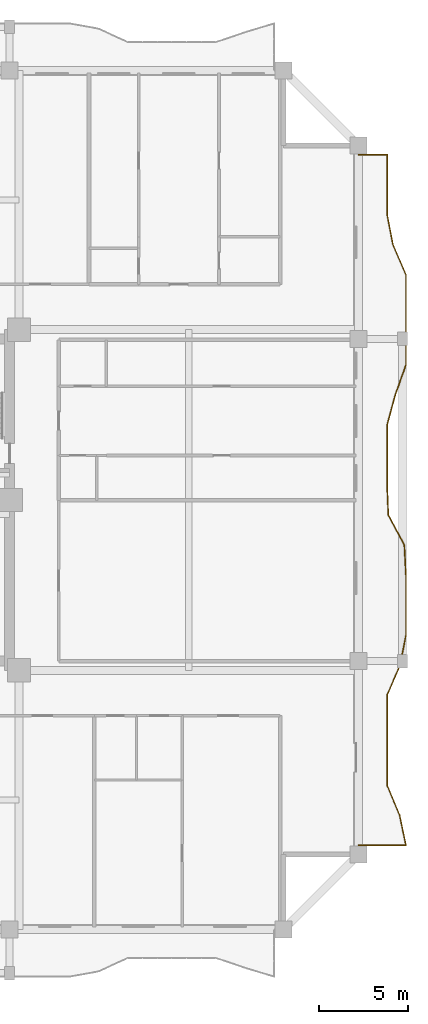
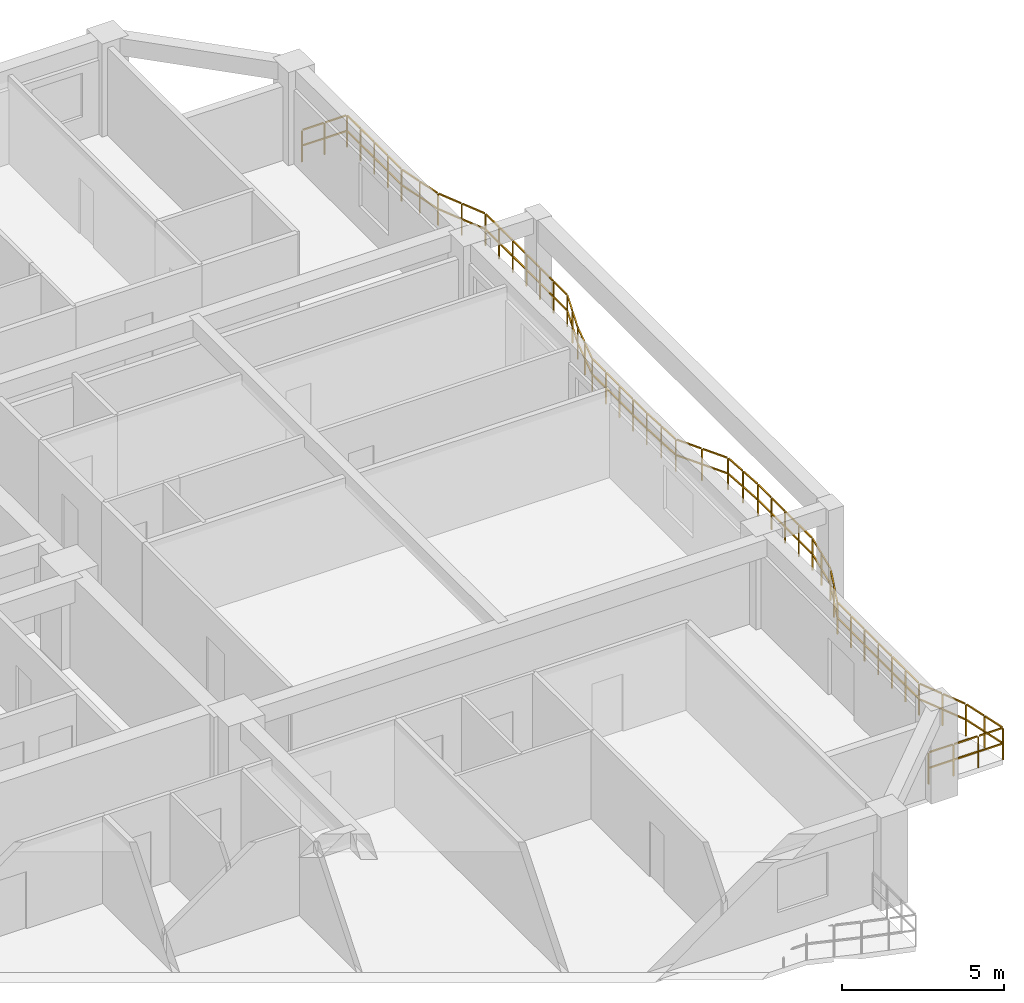
# One storey, part 15 of 17: 1 railing.
"""IFC4 building model written with IfcOpenShell, lengths in metres."""

from ifc_helpers import new_model, si_unit, direction, frame, origin, origin_2d, place, context, subcontext, project, spatial, rectangle, extrude, material, type_object, element, save


model = new_model("IFC4")

# Units and contexts
model_context = context("Model", 3, precision=1e-05, world=origin(), true_north=direction((0.0, 1.0)))
body_context = subcontext(model_context, "Body", "Model", "MODEL_VIEW")
ifc_project = project(units=[si_unit("LENGTHUNIT", "METRE"), si_unit("AREAUNIT", "SQUARE_METRE"), si_unit("VOLUMEUNIT", "CUBIC_METRE"), si_unit("PLANEANGLEUNIT", "RADIAN"), si_unit("MASSUNIT", "GRAM", prefix="KILO")], contexts=[model_context])

# Site, building, storey
site_placement = place(None, origin())
site = spatial("IfcSite", under=ifc_project, at=site_placement, CompositionType="ELEMENT")
building_placement = place(site_placement, origin())
building = spatial("IfcBuilding", under=site, at=building_placement, Name="Saelheon Loggia Tower", CompositionType="ELEMENT")
storey_placement = place(building_placement, frame((0.0, 0.0, 74.35009765625)))
storey = spatial("IfcBuildingStorey", under=building, at=storey_placement, Name="L23", CompositionType="ELEMENT", Elevation=74.35009765625)

# Railing
ifc_material = material(Name="Architectural Precast Concrete and Laminated Glass Guard", Category="concrete")
railing_type = type_object("IfcRailingType", Name="Guard_Loggia_RL_LOG", PredefinedType="BALUSTRADE", material=ifc_material)
railing_placement = place(storey_placement, frame((64.0, 7.699951171875, 0.0)))
element("IfcRailing", 1, at=railing_placement, inside=storey, type_object=railing_type, Name="L23 East Loggia Balustrade", PredefinedType="BALUSTRADE", context=body_context, shape_type="SweptSolid", body=[
    extrude(rectangle(XDim=0.048095703125, YDim=0.048095703125, at=origin_2d()), frame((0.033203125, 0.0, 1.19580078125), z_axis=(1.0, 0.0, 0.0), x_axis=(0.0, 1.0, 0.0)), (0.0, 0.0, 1.0), 0.81689453125),
    extrude(rectangle(XDim=0.048095703125, YDim=0.048095703125, at=origin_2d()), frame((0.033203125, 0.0, 0.60986328125), z_axis=(1.0, 0.0, 0.0), x_axis=(0.0, 1.0, 0.0)), (0.0, 0.0, 1.0), 0.81689453125),
    extrude(rectangle(XDim=0.048095703125, YDim=0.048095703125, at=origin_2d()), frame((0.91650390625, 0.0, 1.19580078125), z_axis=(1.0, 0.0, 0.0), x_axis=(0.0, 1.0, 0.0)), (0.0, 0.0, 1.0), 0.81689453125),
    extrude(rectangle(XDim=0.048095703125, YDim=0.048095703125, at=origin_2d()), frame((0.91650390625, 0.0, 0.60986328125), z_axis=(1.0, 0.0, 0.0), x_axis=(0.0, 1.0, 0.0)), (0.0, 0.0, 1.0), 0.81689453125),
    extrude(rectangle(XDim=0.048095703125, YDim=0.048095703125, at=origin_2d()), frame((1.7998046875, 0.0, 1.19580078125), z_axis=(1.0, 0.0, 0.0), x_axis=(0.0, 1.0, 0.0)), (0.0, 0.0, 1.0), 0.81689453125),
    extrude(rectangle(XDim=0.048095703125, YDim=0.048095703125, at=origin_2d()), frame((1.7998046875, 0.0, 0.60986328125), z_axis=(1.0, 0.0, 0.0), x_axis=(0.0, 1.0, 0.0)), (0.0, 0.0, 1.0), 0.81689453125),
    extrude(rectangle(XDim=0.048095703125, YDim=0.048095703125, at=origin_2d()), frame((2.64306640625, 0.032470703125, 1.19580078125), z_axis=(-0.205414978073, 0.978674964829, 0.0), x_axis=(-0.978674964829, -0.205414978073, 0.0)), (0.0, 0.0, 1.0), 0.791015625),
    extrude(rectangle(XDim=0.048095703125, YDim=0.048095703125, at=origin_2d()), frame((2.64306640625, 0.032470703125, 0.60986328125), z_axis=(-0.205414978073, 0.978674964829, 0.0), x_axis=(-0.978674964829, -0.205414978073, 0.0)), (0.0, 0.0, 1.0), 0.791015625),
    extrude(rectangle(XDim=0.048095703125, YDim=0.048095703125, at=origin_2d()), frame((2.467041015625, 0.871826171875, 1.19580078125), z_axis=(-0.205414978073, 0.978674964829, 0.0), x_axis=(-0.978674964829, -0.205414978073, 0.0)), (0.0, 0.0, 1.0), 0.791015625),
    extrude(rectangle(XDim=0.048095703125, YDim=0.048095703125, at=origin_2d()), frame((2.467041015625, 0.871826171875, 0.60986328125), z_axis=(-0.205414978073, 0.978674964829, 0.0), x_axis=(-0.978674964829, -0.205414978073, 0.0)), (0.0, 0.0, 1.0), 0.791015625),
    extrude(rectangle(XDim=0.048095703125, YDim=0.048095703125, at=origin_2d()), frame((2.284912109375, 1.709228515625, 1.19580078125), z_axis=(-0.383842529392, 0.923398566508, 0.0), x_axis=(-0.923398566508, -0.383842529392, 0.0)), (0.0, 0.0, 1.0), 0.842041015625),
    extrude(rectangle(XDim=0.048095703125, YDim=0.048095703125, at=origin_2d()), frame((2.284912109375, 1.709228515625, 0.60986328125), z_axis=(-0.383842529392, 0.923398566508, 0.0), x_axis=(-0.923398566508, -0.383842529392, 0.0)), (0.0, 0.0, 1.0), 0.842041015625),
    extrude(rectangle(XDim=0.048095703125, YDim=0.048095703125, at=origin_2d()), frame((1.93603515625, 2.548095703125, 1.19580078125), z_axis=(-0.383842529392, 0.923398566508, 0.0), x_axis=(-0.923398566508, -0.383842529392, 0.0)), (0.0, 0.0, 1.0), 0.842041015625),
    extrude(rectangle(XDim=0.048095703125, YDim=0.048095703125, at=origin_2d()), frame((1.93603515625, 2.548095703125, 0.60986328125), z_axis=(-0.383842529392, 0.923398566508, 0.0), x_axis=(-0.923398566508, -0.383842529392, 0.0)), (0.0, 0.0, 1.0), 0.842041015625),
    extrude(rectangle(XDim=0.048095703125, YDim=0.048095703125, at=origin_2d()), frame((1.60009765625, 3.3896484375, 1.19580078125), z_axis=(0.0, 1.0, 0.0), x_axis=(-1.0, 0.0, 0.0)), (0.0, 0.0, 1.0), 0.772705078125),
    extrude(rectangle(XDim=0.048095703125, YDim=0.048095703125, at=origin_2d()), frame((1.60009765625, 3.3896484375, 0.60986328125), z_axis=(0.0, 1.0, 0.0), x_axis=(-1.0, 0.0, 0.0)), (0.0, 0.0, 1.0), 0.772705078125),
    extrude(rectangle(XDim=0.048095703125, YDim=0.048095703125, at=origin_2d()), frame((1.60009765625, 4.22900390625, 1.19580078125), z_axis=(0.0, 1.0, 0.0), x_axis=(-1.0, 0.0, 0.0)), (0.0, 0.0, 1.0), 0.772705078125),
    extrude(rectangle(XDim=0.048095703125, YDim=0.048095703125, at=origin_2d()), frame((1.60009765625, 4.22900390625, 0.60986328125), z_axis=(0.0, 1.0, 0.0), x_axis=(-1.0, 0.0, 0.0)), (0.0, 0.0, 1.0), 0.772705078125),
    extrude(rectangle(XDim=0.048095703125, YDim=0.048095703125, at=origin_2d()), frame((1.60009765625, 5.068115234375, 1.19580078125), z_axis=(0.0, 1.0, 0.0), x_axis=(-1.0, 0.0, 0.0)), (0.0, 0.0, 1.0), 0.772705078125),
    extrude(rectangle(XDim=0.048095703125, YDim=0.048095703125, at=origin_2d()), frame((1.60009765625, 5.068115234375, 0.60986328125), z_axis=(0.0, 1.0, 0.0), x_axis=(-1.0, 0.0, 0.0)), (0.0, 0.0, 1.0), 0.772705078125),
    extrude(rectangle(XDim=0.048095703125, YDim=0.048095703125, at=origin_2d()), frame((1.60009765625, 5.9072265625, 1.19580078125), z_axis=(0.0, 1.0, 0.0), x_axis=(-1.0, 0.0, 0.0)), (0.0, 0.0, 1.0), 0.772705078125),
    extrude(rectangle(XDim=0.048095703125, YDim=0.048095703125, at=origin_2d()), frame((1.60009765625, 5.9072265625, 0.60986328125), z_axis=(0.0, 1.0, 0.0), x_axis=(-1.0, 0.0, 0.0)), (0.0, 0.0, 1.0), 0.772705078125),
    extrude(rectangle(XDim=0.048095703125, YDim=0.048095703125, at=origin_2d()), frame((1.60009765625, 6.746337890625, 1.19580078125), z_axis=(0.0, 1.0, 0.0), x_axis=(-1.0, 0.0, 0.0)), (0.0, 0.0, 1.0), 0.772705078125),
    extrude(rectangle(XDim=0.048095703125, YDim=0.048095703125, at=origin_2d()), frame((1.60009765625, 6.746337890625, 0.60986328125), z_axis=(0.0, 1.0, 0.0), x_axis=(-1.0, 0.0, 0.0)), (0.0, 0.0, 1.0), 0.772705078125),
    extrude(rectangle(XDim=0.048095703125, YDim=0.048095703125, at=origin_2d()), frame((1.60009765625, 7.58544921875, 1.19580078125), z_axis=(0.0, 1.0, 0.0), x_axis=(-1.0, 0.0, 0.0)), (0.0, 0.0, 1.0), 0.772705078125),
    extrude(rectangle(XDim=0.048095703125, YDim=0.048095703125, at=origin_2d()), frame((1.60009765625, 7.58544921875, 0.60986328125), z_axis=(0.0, 1.0, 0.0), x_axis=(-1.0, 0.0, 0.0)), (0.0, 0.0, 1.0), 0.772705078125),
    extrude(rectangle(XDim=0.048095703125, YDim=0.048095703125, at=origin_2d()), frame((1.61328125, 8.421875, 1.19580078125), z_axis=(0.395724447391, 0.918369294857, 0.0), x_axis=(-0.918369294857, 0.395724447391, 0.0)), (0.0, 0.0, 1.0), 0.84716796875),
    extrude(rectangle(XDim=0.048095703125, YDim=0.048095703125, at=origin_2d()), frame((1.61328125, 8.421875, 0.60986328125), z_axis=(0.395724447391, 0.918369294857, 0.0), x_axis=(-0.918369294857, 0.395724447391, 0.0)), (0.0, 0.0, 1.0), 0.84716796875),
    extrude(rectangle(XDim=0.048095703125, YDim=0.048095703125, at=origin_2d()), frame((1.974853515625, 9.260986328125, 1.19580078125), z_axis=(0.395724447391, 0.918369294857, 0.0), x_axis=(-0.918369294857, 0.395724447391, 0.0)), (0.0, 0.0, 1.0), 0.84716796875),
    extrude(rectangle(XDim=0.048095703125, YDim=0.048095703125, at=origin_2d()), frame((1.974853515625, 9.260986328125, 0.60986328125), z_axis=(0.395724447391, 0.918369294857, 0.0), x_axis=(-0.918369294857, 0.395724447391, 0.0)), (0.0, 0.0, 1.0), 0.84716796875),
    extrude(rectangle(XDim=0.048095703125, YDim=0.048095703125, at=origin_2d()), frame((2.32958984375, 10.102294921875, 1.19580078125), z_axis=(0.191060757648, 0.981578212313, 0.0), x_axis=(-0.981578212313, 0.191060757648, 0.0)), (0.0, 0.0, 1.0), 0.788330078125),
    extrude(rectangle(XDim=0.048095703125, YDim=0.048095703125, at=origin_2d()), frame((2.32958984375, 10.102294921875, 0.60986328125), z_axis=(0.191060757648, 0.981578212313, 0.0), x_axis=(-0.981578212313, 0.191060757648, 0.0)), (0.0, 0.0, 1.0), 0.788330078125),
    extrude(rectangle(XDim=0.048095703125, YDim=0.048095703125, at=origin_2d()), frame((2.492919921875, 10.94140625, 1.19580078125), z_axis=(0.191060757648, 0.981578212313, 0.0), x_axis=(-0.981578212313, 0.191060757648, 0.0)), (0.0, 0.0, 1.0), 0.788330078125),
    extrude(rectangle(XDim=0.048095703125, YDim=0.048095703125, at=origin_2d()), frame((2.492919921875, 10.94140625, 0.60986328125), z_axis=(0.191060757648, 0.981578212313, 0.0), x_axis=(-0.981578212313, 0.191060757648, 0.0)), (0.0, 0.0, 1.0), 0.788330078125),
    extrude(rectangle(XDim=0.048095703125, YDim=0.048095703125, at=origin_2d()), frame((2.64990234375, 11.781005859375, 1.19580078125), z_axis=(0.0, 1.0, 0.0), x_axis=(-1.0, 0.0, 0.0)), (0.0, 0.0, 1.0), 0.772705078125),
    extrude(rectangle(XDim=0.048095703125, YDim=0.048095703125, at=origin_2d()), frame((2.64990234375, 11.781005859375, 0.60986328125), z_axis=(0.0, 1.0, 0.0), x_axis=(-1.0, 0.0, 0.0)), (0.0, 0.0, 1.0), 0.772705078125),
    extrude(rectangle(XDim=0.048095703125, YDim=0.048095703125, at=origin_2d()), frame((2.64990234375, 12.620361328125, 1.19580078125), z_axis=(0.0, 1.0, 0.0), x_axis=(-1.0, 0.0, 0.0)), (0.0, 0.0, 1.0), 0.772705078125),
    extrude(rectangle(XDim=0.048095703125, YDim=0.048095703125, at=origin_2d()), frame((2.64990234375, 12.620361328125, 0.60986328125), z_axis=(0.0, 1.0, 0.0), x_axis=(-1.0, 0.0, 0.0)), (0.0, 0.0, 1.0), 0.772705078125),
    extrude(rectangle(XDim=0.048095703125, YDim=0.048095703125, at=origin_2d()), frame((2.64990234375, 13.45947265625, 1.19580078125), z_axis=(0.0, 1.0, 0.0), x_axis=(-1.0, 0.0, 0.0)), (0.0, 0.0, 1.0), 0.7724609375),
    extrude(rectangle(XDim=0.048095703125, YDim=0.048095703125, at=origin_2d()), frame((2.64990234375, 13.45947265625, 0.60986328125), z_axis=(0.0, 1.0, 0.0), x_axis=(-1.0, 0.0, 0.0)), (0.0, 0.0, 1.0), 0.7724609375),
    extrude(rectangle(XDim=0.048095703125, YDim=0.048095703125, at=origin_2d()), frame((2.64990234375, 14.298583984375, 1.19580078125), z_axis=(0.0, 1.0, 0.0), x_axis=(-1.0, 0.0, 0.0)), (0.0, 0.0, 1.0), 0.7724609375),
    extrude(rectangle(XDim=0.048095703125, YDim=0.048095703125, at=origin_2d()), frame((2.64990234375, 14.298583984375, 0.60986328125), z_axis=(0.0, 1.0, 0.0), x_axis=(-1.0, 0.0, 0.0)), (0.0, 0.0, 1.0), 0.7724609375),
    extrude(rectangle(XDim=0.048095703125, YDim=0.048095703125, at=origin_2d()), frame((2.648193359375, 15.137451171875, 1.19580078125), z_axis=(-0.053161084744, 0.998585949765, 0.0), x_axis=(-0.998585949765, -0.053161084744, 0.0)), (0.0, 0.0, 1.0), 0.77392578125),
    extrude(rectangle(XDim=0.048095703125, YDim=0.048095703125, at=origin_2d()), frame((2.648193359375, 15.137451171875, 0.60986328125), z_axis=(-0.053161084744, 0.998585949765, 0.0), x_axis=(-0.998585949765, -0.053161084744, 0.0)), (0.0, 0.0, 1.0), 0.77392578125),
    extrude(rectangle(XDim=0.048095703125, YDim=0.048095703125, at=origin_2d()), frame((2.603515625, 15.9765625, 1.19580078125), z_axis=(-0.053161084744, 0.998585949765, 0.0), x_axis=(-0.998585949765, -0.053161084744, 0.0)), (0.0, 0.0, 1.0), 0.77392578125),
    extrude(rectangle(XDim=0.048095703125, YDim=0.048095703125, at=origin_2d()), frame((2.603515625, 15.9765625, 0.60986328125), z_axis=(-0.053161084744, 0.998585949765, 0.0), x_axis=(-0.998585949765, -0.053161084744, 0.0)), (0.0, 0.0, 1.0), 0.77392578125),
    extrude(rectangle(XDim=0.048095703125, YDim=0.048095703125, at=origin_2d()), frame((2.544921875, 16.81201171875, 1.19580078125), z_axis=(-0.470474964031, 0.882413343179, 0.0), x_axis=(-0.882413343179, -0.470474964031, 0.0)), (0.0, 0.0, 1.0), 0.884521484375),
    extrude(rectangle(XDim=0.048095703125, YDim=0.048095703125, at=origin_2d()), frame((2.544921875, 16.81201171875, 0.60986328125), z_axis=(-0.470474964031, 0.882413343179, 0.0), x_axis=(-0.882413343179, -0.470474964031, 0.0)), (0.0, 0.0, 1.0), 0.884521484375),
    extrude(rectangle(XDim=0.048095703125, YDim=0.048095703125, at=origin_2d()), frame((2.097412109375, 17.651123046875, 1.19580078125), z_axis=(-0.470474964031, 0.882413343179, 0.0), x_axis=(-0.882413343179, -0.470474964031, 0.0)), (0.0, 0.0, 1.0), 0.884521484375),
    extrude(rectangle(XDim=0.048095703125, YDim=0.048095703125, at=origin_2d()), frame((2.097412109375, 17.651123046875, 0.60986328125), z_axis=(-0.470474964031, 0.882413343179, 0.0), x_axis=(-0.882413343179, -0.470474964031, 0.0)), (0.0, 0.0, 1.0), 0.884521484375),
    extrude(rectangle(XDim=0.048095703125, YDim=0.048095703125, at=origin_2d()), frame((1.66455078125, 18.494140625, 1.19580078125), z_axis=(-0.039103035271, 0.999235183844, 0.0), x_axis=(-0.999235183844, -0.039103035271, 0.0)), (0.0, 0.0, 1.0), 0.773193359375),
    extrude(rectangle(XDim=0.048095703125, YDim=0.048095703125, at=origin_2d()), frame((1.66455078125, 18.494140625, 0.60986328125), z_axis=(-0.039103035271, 0.999235183844, 0.0), x_axis=(-0.999235183844, -0.039103035271, 0.0)), (0.0, 0.0, 1.0), 0.773193359375),
    extrude(rectangle(XDim=0.048095703125, YDim=0.048095703125, at=origin_2d()), frame((1.631591796875, 19.333251953125, 1.19580078125), z_axis=(-0.039103035271, 0.999235183844, 0.0), x_axis=(-0.999235183844, -0.039103035271, 0.0)), (0.0, 0.0, 1.0), 0.773193359375),
    extrude(rectangle(XDim=0.048095703125, YDim=0.048095703125, at=origin_2d()), frame((1.631591796875, 19.333251953125, 0.60986328125), z_axis=(-0.039103035271, 0.999235183844, 0.0), x_axis=(-0.999235183844, -0.039103035271, 0.0)), (0.0, 0.0, 1.0), 0.773193359375),
    extrude(rectangle(XDim=0.048095703125, YDim=0.048095703125, at=origin_2d()), frame((1.60009765625, 20.17236328125, 1.19580078125), z_axis=(0.0, 1.0, 0.0), x_axis=(-1.0, 0.0, 0.0)), (0.0, 0.0, 1.0), 0.772705078125),
    extrude(rectangle(XDim=0.048095703125, YDim=0.048095703125, at=origin_2d()), frame((1.60009765625, 20.17236328125, 0.60986328125), z_axis=(0.0, 1.0, 0.0), x_axis=(-1.0, 0.0, 0.0)), (0.0, 0.0, 1.0), 0.772705078125),
    extrude(rectangle(XDim=0.048095703125, YDim=0.048095703125, at=origin_2d()), frame((1.60009765625, 21.011474609375, 1.19580078125), z_axis=(0.0, 1.0, 0.0), x_axis=(-1.0, 0.0, 0.0)), (0.0, 0.0, 1.0), 0.772705078125),
    extrude(rectangle(XDim=0.048095703125, YDim=0.048095703125, at=origin_2d()), frame((1.60009765625, 21.011474609375, 0.60986328125), z_axis=(0.0, 1.0, 0.0), x_axis=(-1.0, 0.0, 0.0)), (0.0, 0.0, 1.0), 0.772705078125),
    extrude(rectangle(XDim=0.048095703125, YDim=0.048095703125, at=origin_2d()), frame((1.60009765625, 21.8505859375, 1.19580078125), z_axis=(0.0, 1.0, 0.0), x_axis=(-1.0, 0.0, 0.0)), (0.0, 0.0, 1.0), 0.772705078125),
    extrude(rectangle(XDim=0.048095703125, YDim=0.048095703125, at=origin_2d()), frame((1.60009765625, 21.8505859375, 0.60986328125), z_axis=(0.0, 1.0, 0.0), x_axis=(-1.0, 0.0, 0.0)), (0.0, 0.0, 1.0), 0.772705078125),
    extrude(rectangle(XDim=0.048095703125, YDim=0.048095703125, at=origin_2d()), frame((1.60009765625, 22.68994140625, 1.19580078125), z_axis=(0.0, 1.0, 0.0), x_axis=(-1.0, 0.0, 0.0)), (0.0, 0.0, 1.0), 0.772705078125),
    extrude(rectangle(XDim=0.048095703125, YDim=0.048095703125, at=origin_2d()), frame((1.60009765625, 22.68994140625, 0.60986328125), z_axis=(0.0, 1.0, 0.0), x_axis=(-1.0, 0.0, 0.0)), (0.0, 0.0, 1.0), 0.772705078125),
    extrude(rectangle(XDim=0.048095703125, YDim=0.048095703125, at=origin_2d()), frame((1.60888671875, 23.52783203125, 1.19580078125), z_axis=(0.261227378057, 0.965277295368, 0.0), x_axis=(-0.965277295368, 0.261227378057, 0.0)), (0.0, 0.0, 1.0), 0.802734375),
    extrude(rectangle(XDim=0.048095703125, YDim=0.048095703125, at=origin_2d()), frame((1.60888671875, 23.52783203125, 0.60986328125), z_axis=(0.261227378057, 0.965277295368, 0.0), x_axis=(-0.965277295368, 0.261227378057, 0.0)), (0.0, 0.0, 1.0), 0.802734375),
    extrude(rectangle(XDim=0.048095703125, YDim=0.048095703125, at=origin_2d()), frame((1.8359375, 24.366943359375, 1.19580078125), z_axis=(0.261227378057, 0.965277295368, 0.0), x_axis=(-0.965277295368, 0.261227378057, 0.0)), (0.0, 0.0, 1.0), 0.802734375),
    extrude(rectangle(XDim=0.048095703125, YDim=0.048095703125, at=origin_2d()), frame((1.8359375, 24.366943359375, 0.60986328125), z_axis=(0.261227378057, 0.965277295368, 0.0), x_axis=(-0.965277295368, 0.261227378057, 0.0)), (0.0, 0.0, 1.0), 0.802734375),
    extrude(rectangle(XDim=0.048095703125, YDim=0.048095703125, at=origin_2d()), frame((2.0654296875, 25.205078125, 1.19580078125), z_axis=(0.334468754842, 0.942406839976, 0.0), x_axis=(-0.942406839976, 0.334468754842, 0.0)), (0.0, 0.0, 1.0), 0.823974609375),
    extrude(rectangle(XDim=0.048095703125, YDim=0.048095703125, at=origin_2d()), frame((2.0654296875, 25.205078125, 0.60986328125), z_axis=(0.334468754842, 0.942406839976, 0.0), x_axis=(-0.942406839976, 0.334468754842, 0.0)), (0.0, 0.0, 1.0), 0.823974609375),
    extrude(rectangle(XDim=0.048095703125, YDim=0.048095703125, at=origin_2d()), frame((2.36328125, 26.04443359375, 1.19580078125), z_axis=(0.334468754842, 0.942406839976, 0.0), x_axis=(-0.942406839976, 0.334468754842, 0.0)), (0.0, 0.0, 1.0), 0.823974609375),
    extrude(rectangle(XDim=0.048095703125, YDim=0.048095703125, at=origin_2d()), frame((2.36328125, 26.04443359375, 0.60986328125), z_axis=(0.334468754842, 0.942406839976, 0.0), x_axis=(-0.942406839976, 0.334468754842, 0.0)), (0.0, 0.0, 1.0), 0.823974609375),
    extrude(rectangle(XDim=0.048095703125, YDim=0.048095703125, at=origin_2d()), frame((2.64990234375, 26.885498046875, 1.19580078125), z_axis=(0.0, 1.0, 0.0), x_axis=(-1.0, 0.0, 0.0)), (0.0, 0.0, 1.0), 0.772705078125),
    extrude(rectangle(XDim=0.048095703125, YDim=0.048095703125, at=origin_2d()), frame((2.64990234375, 26.885498046875, 0.60986328125), z_axis=(0.0, 1.0, 0.0), x_axis=(-1.0, 0.0, 0.0)), (0.0, 0.0, 1.0), 0.772705078125),
    extrude(rectangle(XDim=0.048095703125, YDim=0.048095703125, at=origin_2d()), frame((2.64990234375, 27.724609375, 1.19580078125), z_axis=(0.0, 1.0, 0.0), x_axis=(-1.0, 0.0, 0.0)), (0.0, 0.0, 1.0), 0.772705078125),
    extrude(rectangle(XDim=0.048095703125, YDim=0.048095703125, at=origin_2d()), frame((2.64990234375, 27.724609375, 0.60986328125), z_axis=(0.0, 1.0, 0.0), x_axis=(-1.0, 0.0, 0.0)), (0.0, 0.0, 1.0), 0.772705078125),
    extrude(rectangle(XDim=0.048095703125, YDim=0.048095703125, at=origin_2d()), frame((2.64990234375, 28.563720703125, 1.19580078125), z_axis=(0.0, 1.0, 0.0), x_axis=(-1.0, 0.0, 0.0)), (0.0, 0.0, 1.0), 0.772705078125),
    extrude(rectangle(XDim=0.048095703125, YDim=0.048095703125, at=origin_2d()), frame((2.64990234375, 28.563720703125, 0.60986328125), z_axis=(0.0, 1.0, 0.0), x_axis=(-1.0, 0.0, 0.0)), (0.0, 0.0, 1.0), 0.772705078125),
    extrude(rectangle(XDim=0.048095703125, YDim=0.048095703125, at=origin_2d()), frame((2.64990234375, 29.40283203125, 1.19580078125), z_axis=(0.0, 1.0, 0.0), x_axis=(-1.0, 0.0, 0.0)), (0.0, 0.0, 1.0), 0.772705078125),
    extrude(rectangle(XDim=0.048095703125, YDim=0.048095703125, at=origin_2d()), frame((2.64990234375, 29.40283203125, 0.60986328125), z_axis=(0.0, 1.0, 0.0), x_axis=(-1.0, 0.0, 0.0)), (0.0, 0.0, 1.0), 0.772705078125),
    extrude(rectangle(XDim=0.048095703125, YDim=0.048095703125, at=origin_2d()), frame((2.64990234375, 30.241943359375, 1.19580078125), z_axis=(0.0, 1.0, 0.0), x_axis=(-1.0, 0.0, 0.0)), (0.0, 0.0, 1.0), 0.772705078125),
    extrude(rectangle(XDim=0.048095703125, YDim=0.048095703125, at=origin_2d()), frame((2.64990234375, 30.241943359375, 0.60986328125), z_axis=(0.0, 1.0, 0.0), x_axis=(-1.0, 0.0, 0.0)), (0.0, 0.0, 1.0), 0.772705078125),
    extrude(rectangle(XDim=0.048095703125, YDim=0.048095703125, at=origin_2d()), frame((2.64990234375, 31.0810546875, 1.19580078125), z_axis=(0.0, 1.0, 0.0), x_axis=(-1.0, 0.0, 0.0)), (0.0, 0.0, 1.0), 0.772705078125),
    extrude(rectangle(XDim=0.048095703125, YDim=0.048095703125, at=origin_2d()), frame((2.64990234375, 31.0810546875, 0.60986328125), z_axis=(0.0, 1.0, 0.0), x_axis=(-1.0, 0.0, 0.0)), (0.0, 0.0, 1.0), 0.772705078125),
    extrude(rectangle(XDim=0.048095703125, YDim=0.048095703125, at=origin_2d()), frame((2.63671875, 31.91748046875, 1.19580078125), z_axis=(-0.396400198959, 0.918077819286, 0.0), x_axis=(-0.918077819286, -0.396400198959, 0.0)), (0.0, 0.0, 1.0), 0.847412109375),
    extrude(rectangle(XDim=0.048095703125, YDim=0.048095703125, at=origin_2d()), frame((2.63671875, 31.91748046875, 0.60986328125), z_axis=(-0.396400198959, 0.918077819286, 0.0), x_axis=(-0.918077819286, -0.396400198959, 0.0)), (0.0, 0.0, 1.0), 0.847412109375),
    extrude(rectangle(XDim=0.048095703125, YDim=0.048095703125, at=origin_2d()), frame((2.2744140625, 32.756591796875, 1.19580078125), z_axis=(-0.396400198959, 0.918077819286, 0.0), x_axis=(-0.918077819286, -0.396400198959, 0.0)), (0.0, 0.0, 1.0), 0.847412109375),
    extrude(rectangle(XDim=0.048095703125, YDim=0.048095703125, at=origin_2d()), frame((2.2744140625, 32.756591796875, 0.60986328125), z_axis=(-0.396400198959, 0.918077819286, 0.0), x_axis=(-0.918077819286, -0.396400198959, 0.0)), (0.0, 0.0, 1.0), 0.847412109375),
    extrude(rectangle(XDim=0.048095703125, YDim=0.048095703125, at=origin_2d()), frame((1.9189453125, 33.597900390625, 1.19580078125), z_axis=(-0.190208387004, 0.981743739228, 0.0), x_axis=(-0.981743739228, -0.190208387004, 0.0)), (0.0, 0.0, 1.0), 0.788330078125),
    extrude(rectangle(XDim=0.048095703125, YDim=0.048095703125, at=origin_2d()), frame((1.9189453125, 33.597900390625, 0.60986328125), z_axis=(-0.190208387004, 0.981743739228, 0.0), x_axis=(-0.981743739228, -0.190208387004, 0.0)), (0.0, 0.0, 1.0), 0.788330078125),
    extrude(rectangle(XDim=0.048095703125, YDim=0.048095703125, at=origin_2d()), frame((1.75634765625, 34.43701171875, 1.19580078125), z_axis=(-0.190208387004, 0.981743739228, 0.0), x_axis=(-0.981743739228, -0.190208387004, 0.0)), (0.0, 0.0, 1.0), 0.788330078125),
    extrude(rectangle(XDim=0.048095703125, YDim=0.048095703125, at=origin_2d()), frame((1.75634765625, 34.43701171875, 0.60986328125), z_axis=(-0.190208387004, 0.981743739228, 0.0), x_axis=(-0.981743739228, -0.190208387004, 0.0)), (0.0, 0.0, 1.0), 0.788330078125),
    extrude(rectangle(XDim=0.048095703125, YDim=0.048095703125, at=origin_2d()), frame((1.60009765625, 35.27685546875, 1.19580078125), z_axis=(0.0, 1.0, 0.0), x_axis=(-1.0, 0.0, 0.0)), (0.0, 0.0, 1.0), 0.7724609375),
    extrude(rectangle(XDim=0.048095703125, YDim=0.048095703125, at=origin_2d()), frame((1.60009765625, 35.27685546875, 0.60986328125), z_axis=(0.0, 1.0, 0.0), x_axis=(-1.0, 0.0, 0.0)), (0.0, 0.0, 1.0), 0.7724609375),
    extrude(rectangle(XDim=0.048095703125, YDim=0.048095703125, at=origin_2d()), frame((1.60009765625, 36.115966796875, 1.19580078125), z_axis=(0.0, 1.0, 0.0), x_axis=(-1.0, 0.0, 0.0)), (0.0, 0.0, 1.0), 0.7724609375),
    extrude(rectangle(XDim=0.048095703125, YDim=0.048095703125, at=origin_2d()), frame((1.60009765625, 36.115966796875, 0.60986328125), z_axis=(0.0, 1.0, 0.0), x_axis=(-1.0, 0.0, 0.0)), (0.0, 0.0, 1.0), 0.7724609375),
    extrude(rectangle(XDim=0.048095703125, YDim=0.048095703125, at=origin_2d()), frame((1.60009765625, 36.954833984375, 1.19580078125), z_axis=(0.0, 1.0, 0.0), x_axis=(-1.0, 0.0, 0.0)), (0.0, 0.0, 1.0), 0.772705078125),
    extrude(rectangle(XDim=0.048095703125, YDim=0.048095703125, at=origin_2d()), frame((1.60009765625, 36.954833984375, 0.60986328125), z_axis=(0.0, 1.0, 0.0), x_axis=(-1.0, 0.0, 0.0)), (0.0, 0.0, 1.0), 0.772705078125),
    extrude(rectangle(XDim=0.048095703125, YDim=0.048095703125, at=origin_2d()), frame((1.60009765625, 37.794189453125, 1.19580078125), z_axis=(0.0, 1.0, 0.0), x_axis=(-1.0, 0.0, 0.0)), (0.0, 0.0, 1.0), 0.772705078125),
    extrude(rectangle(XDim=0.048095703125, YDim=0.048095703125, at=origin_2d()), frame((1.60009765625, 37.794189453125, 0.60986328125), z_axis=(0.0, 1.0, 0.0), x_axis=(-1.0, 0.0, 0.0)), (0.0, 0.0, 1.0), 0.772705078125),
    extrude(rectangle(XDim=0.048095703125, YDim=0.048095703125, at=origin_2d()), frame((1.56689453125, 38.60009765625, 1.19580078125), z_axis=(-1.0, 0.0, 0.0), x_axis=(0.0, -1.0, 0.0)), (0.0, 0.0, 1.0), 0.733642578125),
    extrude(rectangle(XDim=0.048095703125, YDim=0.048095703125, at=origin_2d()), frame((1.56689453125, 38.60009765625, 0.60986328125), z_axis=(-1.0, 0.0, 0.0), x_axis=(0.0, -1.0, 0.0)), (0.0, 0.0, 1.0), 0.733642578125),
    extrude(rectangle(XDim=0.048095703125, YDim=0.048095703125, at=origin_2d()), frame((0.766845703125, 38.60009765625, 1.19580078125), z_axis=(-1.0, 0.0, 0.0), x_axis=(0.0, -1.0, 0.0)), (0.0, 0.0, 1.0), 0.733642578125),
    extrude(rectangle(XDim=0.048095703125, YDim=0.048095703125, at=origin_2d()), frame((0.766845703125, 38.60009765625, 0.60986328125), z_axis=(-1.0, 0.0, 0.0), x_axis=(0.0, -1.0, 0.0)), (0.0, 0.0, 1.0), 0.733642578125),
    extrude(rectangle(XDim=0.0419921875, YDim=0.0419921875, at=origin_2d()), origin(), (0.0, 0.0, 1.0), 1.16796875),
    extrude(rectangle(XDim=0.0419921875, YDim=0.0419921875, at=origin_2d()), frame((0.88330078125, 0.0, 0.0)), (0.0, 0.0, 1.0), 1.16796875),
    extrude(rectangle(XDim=0.0419921875, YDim=0.0419921875, at=origin_2d()), frame((1.7666015625, 0.0, 0.0)), (0.0, 0.0, 1.0), 1.16796875),
    extrude(rectangle(XDim=0.0419921875, YDim=0.0419921875, at=origin_2d()), frame((2.64990234375, 0.0, 0.0)), (0.0, 0.0, 1.0), 1.16796875),
    extrude(rectangle(XDim=0.0419921875, YDim=0.0419921875, at=origin_2d()), frame((2.4736328125, 0.83935546875, 0.0)), (0.0, 0.0, 1.0), 1.16796875),
    extrude(rectangle(XDim=0.0419921875, YDim=0.0419921875, at=origin_2d()), frame((2.297607421875, 1.678466796875, 0.0)), (0.0, 0.0, 1.0), 1.16796875),
    extrude(rectangle(XDim=0.0419921875, YDim=0.0419921875, at=origin_2d()), frame((1.94873046875, 2.517578125, 0.0)), (0.0, 0.0, 1.0), 1.16796875),
    extrude(rectangle(XDim=0.0419921875, YDim=0.0419921875, at=origin_2d()), frame((1.60009765625, 3.3564453125, 0.0)), (0.0, 0.0, 1.0), 1.16796875),
    extrude(rectangle(XDim=0.0419921875, YDim=0.0419921875, at=origin_2d()), frame((1.60009765625, 4.19580078125, 0.0)), (0.0, 0.0, 1.0), 1.16796875),
    extrude(rectangle(XDim=0.0419921875, YDim=0.0419921875, at=origin_2d()), frame((1.60009765625, 5.034912109375, 0.0)), (0.0, 0.0, 1.0), 1.16796875),
    extrude(rectangle(XDim=0.0419921875, YDim=0.0419921875, at=origin_2d()), frame((1.60009765625, 5.8740234375, 0.0)), (0.0, 0.0, 1.0), 1.16796875),
    extrude(rectangle(XDim=0.0419921875, YDim=0.0419921875, at=origin_2d()), frame((1.60009765625, 6.713134765625, 0.0)), (0.0, 0.0, 1.0), 1.16796875),
    extrude(rectangle(XDim=0.0419921875, YDim=0.0419921875, at=origin_2d()), frame((1.60009765625, 7.55224609375, 0.0)), (0.0, 0.0, 1.0), 1.16796875),
    extrude(rectangle(XDim=0.0419921875, YDim=0.0419921875, at=origin_2d()), frame((1.60009765625, 8.391357421875, 0.0)), (0.0, 0.0, 1.0), 1.16796875),
    extrude(rectangle(XDim=0.0419921875, YDim=0.0419921875, at=origin_2d()), frame((1.961669921875, 9.23046875, 0.0)), (0.0, 0.0, 1.0), 1.16796875),
    extrude(rectangle(XDim=0.0419921875, YDim=0.0419921875, at=origin_2d()), frame((2.3232421875, 10.069580078125, 0.0)), (0.0, 0.0, 1.0), 1.16796875),
    extrude(rectangle(XDim=0.0419921875, YDim=0.0419921875, at=origin_2d()), frame((2.486572265625, 10.90869140625, 0.0)), (0.0, 0.0, 1.0), 1.16796875),
    extrude(rectangle(XDim=0.0419921875, YDim=0.0419921875, at=origin_2d()), frame((2.64990234375, 11.747802734375, 0.0)), (0.0, 0.0, 1.0), 1.16796875),
    extrude(rectangle(XDim=0.0419921875, YDim=0.0419921875, at=origin_2d()), frame((2.64990234375, 12.5869140625, 0.0)), (0.0, 0.0, 1.0), 1.16796875),
    extrude(rectangle(XDim=0.0419921875, YDim=0.0419921875, at=origin_2d()), frame((2.64990234375, 13.42626953125, 0.0)), (0.0, 0.0, 1.0), 1.16796875),
    extrude(rectangle(XDim=0.0419921875, YDim=0.0419921875, at=origin_2d()), frame((2.64990234375, 14.26513671875, 0.0)), (0.0, 0.0, 1.0), 1.16796875),
    extrude(rectangle(XDim=0.0419921875, YDim=0.0419921875, at=origin_2d()), frame((2.64990234375, 15.104248046875, 0.0)), (0.0, 0.0, 1.0), 1.16796875),
    extrude(rectangle(XDim=0.0419921875, YDim=0.0419921875, at=origin_2d()), frame((2.605224609375, 15.943359375, 0.0)), (0.0, 0.0, 1.0), 1.16796875),
    extrude(rectangle(XDim=0.0419921875, YDim=0.0419921875, at=origin_2d()), frame((2.560546875, 16.78271484375, 0.0)), (0.0, 0.0, 1.0), 1.16796875),
    extrude(rectangle(XDim=0.0419921875, YDim=0.0419921875, at=origin_2d()), frame((2.11328125, 17.621826171875, 0.0)), (0.0, 0.0, 1.0), 1.16796875),
    extrude(rectangle(XDim=0.0419921875, YDim=0.0419921875, at=origin_2d()), frame((1.665771484375, 18.4609375, 0.0)), (0.0, 0.0, 1.0), 1.16796875),
    extrude(rectangle(XDim=0.0419921875, YDim=0.0419921875, at=origin_2d()), frame((1.6328125, 19.300048828125, 0.0)), (0.0, 0.0, 1.0), 1.16796875),
    extrude(rectangle(XDim=0.0419921875, YDim=0.0419921875, at=origin_2d()), frame((1.60009765625, 20.13916015625, 0.0)), (0.0, 0.0, 1.0), 1.16796875),
    extrude(rectangle(XDim=0.0419921875, YDim=0.0419921875, at=origin_2d()), frame((1.60009765625, 20.978271484375, 0.0)), (0.0, 0.0, 1.0), 1.16796875),
    extrude(rectangle(XDim=0.0419921875, YDim=0.0419921875, at=origin_2d()), frame((1.60009765625, 21.8173828125, 0.0)), (0.0, 0.0, 1.0), 1.16796875),
    extrude(rectangle(XDim=0.0419921875, YDim=0.0419921875, at=origin_2d()), frame((1.60009765625, 22.65673828125, 0.0)), (0.0, 0.0, 1.0), 1.16796875),
    extrude(rectangle(XDim=0.0419921875, YDim=0.0419921875, at=origin_2d()), frame((1.60009765625, 23.495849609375, 0.0)), (0.0, 0.0, 1.0), 1.16796875),
    extrude(rectangle(XDim=0.0419921875, YDim=0.0419921875, at=origin_2d()), frame((1.8271484375, 24.3349609375, 0.0)), (0.0, 0.0, 1.0), 1.16796875),
    extrude(rectangle(XDim=0.0419921875, YDim=0.0419921875, at=origin_2d()), frame((2.05419921875, 25.173828125, 0.0)), (0.0, 0.0, 1.0), 1.16796875),
    extrude(rectangle(XDim=0.0419921875, YDim=0.0419921875, at=origin_2d()), frame((2.35205078125, 26.01318359375, 0.0)), (0.0, 0.0, 1.0), 1.16796875),
    extrude(rectangle(XDim=0.0419921875, YDim=0.0419921875, at=origin_2d()), frame((2.64990234375, 26.852294921875, 0.0)), (0.0, 0.0, 1.0), 1.16796875),
    extrude(rectangle(XDim=0.0419921875, YDim=0.0419921875, at=origin_2d()), frame((2.64990234375, 27.69140625, 0.0)), (0.0, 0.0, 1.0), 1.16796875),
    extrude(rectangle(XDim=0.0419921875, YDim=0.0419921875, at=origin_2d()), frame((2.64990234375, 28.530517578125, 0.0)), (0.0, 0.0, 1.0), 1.16796875),
    extrude(rectangle(XDim=0.0419921875, YDim=0.0419921875, at=origin_2d()), frame((2.64990234375, 29.36962890625, 0.0)), (0.0, 0.0, 1.0), 1.16796875),
    extrude(rectangle(XDim=0.0419921875, YDim=0.0419921875, at=origin_2d()), frame((2.64990234375, 30.208740234375, 0.0)), (0.0, 0.0, 1.0), 1.16796875),
    extrude(rectangle(XDim=0.0419921875, YDim=0.0419921875, at=origin_2d()), frame((2.64990234375, 31.0478515625, 0.0)), (0.0, 0.0, 1.0), 1.16796875),
    extrude(rectangle(XDim=0.0419921875, YDim=0.0419921875, at=origin_2d()), frame((2.64990234375, 31.886962890625, 0.0)), (0.0, 0.0, 1.0), 1.16796875),
    extrude(rectangle(XDim=0.0419921875, YDim=0.0419921875, at=origin_2d()), frame((2.28759765625, 32.72607421875, 0.0)), (0.0, 0.0, 1.0), 1.16796875),
    extrude(rectangle(XDim=0.0419921875, YDim=0.0419921875, at=origin_2d()), frame((1.92529296875, 33.565185546875, 0.0)), (0.0, 0.0, 1.0), 1.16796875),
    extrude(rectangle(XDim=0.0419921875, YDim=0.0419921875, at=origin_2d()), frame((1.7626953125, 34.404296875, 0.0)), (0.0, 0.0, 1.0), 1.16796875),
    extrude(rectangle(XDim=0.0419921875, YDim=0.0419921875, at=origin_2d()), frame((1.60009765625, 35.24365234375, 0.0)), (0.0, 0.0, 1.0), 1.16796875),
    extrude(rectangle(XDim=0.0419921875, YDim=0.0419921875, at=origin_2d()), frame((1.60009765625, 36.08251953125, 0.0)), (0.0, 0.0, 1.0), 1.16796875),
    extrude(rectangle(XDim=0.0419921875, YDim=0.0419921875, at=origin_2d()), frame((1.60009765625, 36.921630859375, 0.0)), (0.0, 0.0, 1.0), 1.16796875),
    extrude(rectangle(XDim=0.0419921875, YDim=0.0419921875, at=origin_2d()), frame((1.60009765625, 37.7607421875, 0.0)), (0.0, 0.0, 1.0), 1.16796875),
    extrude(rectangle(XDim=0.0419921875, YDim=0.0419921875, at=origin_2d()), frame((1.60009765625, 38.60009765625, 0.0)), (0.0, 0.0, 1.0), 1.16796875),
    extrude(rectangle(XDim=0.0419921875, YDim=0.0419921875, at=origin_2d()), frame((0.800048828125, 38.60009765625, 0.0)), (0.0, 0.0, 1.0), 1.16796875),
    extrude(rectangle(XDim=0.0419921875, YDim=0.0419921875, at=origin_2d()), frame((0.0, 38.60009765625, 0.0)), (0.0, 0.0, 1.0), 1.16796875),
])

save(model, "model.ifc")
